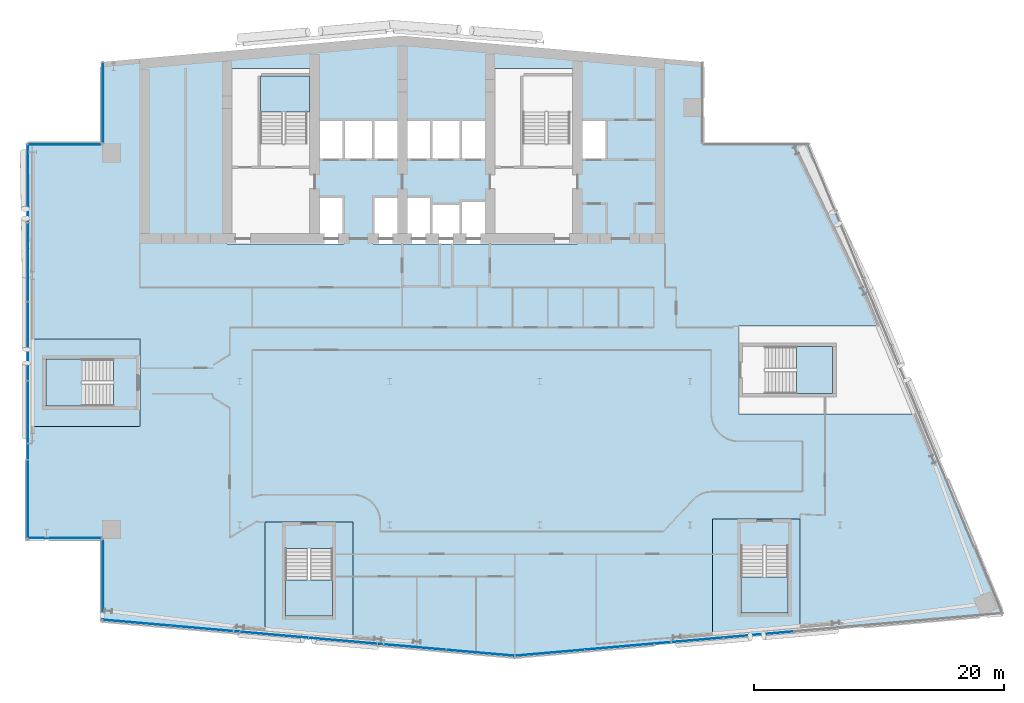
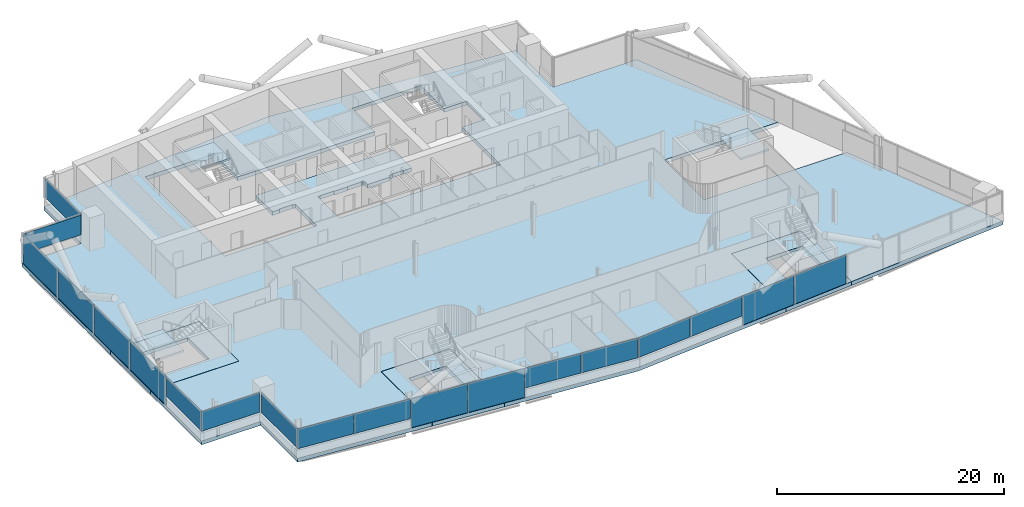
# One storey, part 13 of 29: 19 plates, 9 slabs, 12 elements without a shape of their own.
"""IFC4 building model written with IfcOpenShell, lengths in metres."""

from ifc_helpers import new_model, si_unit, direction, frame, origin, origin_2d, place, context, subcontext, project, spatial, polyline, rectangle, outline, extrude, material, layer, layer_set, type_object, element, aggregate, save


model = new_model("IFC4")

# Units and contexts
model_context = context("Model", 3, precision=1e-05, world=origin(), true_north=direction((0.0, 1.0)))
body_context = subcontext(model_context, "Body", "Model", "MODEL_VIEW")
ifc_project = project(units=[si_unit("LENGTHUNIT", "METRE"), si_unit("AREAUNIT", "SQUARE_METRE"), si_unit("VOLUMEUNIT", "CUBIC_METRE"), si_unit("PLANEANGLEUNIT", "RADIAN"), si_unit("MASSUNIT", "GRAM", prefix="KILO")], contexts=[model_context])

# Site, building, storey
site_placement = place(None, origin())
site = spatial("IfcSite", under=ifc_project, at=site_placement, CompositionType="ELEMENT")
building_placement = place(site_placement, origin())
building = spatial("IfcBuilding", under=site, at=building_placement, Name="Wharfspan Tower", CompositionType="ELEMENT")
storey_placement = place(building_placement, frame((0.0, 0.0, 162.699951)))
storey = spatial("IfcBuildingStorey", under=building, at=storey_placement, Name="L39", CompositionType="ELEMENT", Elevation=162.699951)

# Curtain wall, plates
ifc_material_1 = material(Name="Aluminium 6063-T6", Category="aluminium")
curtain_wall_type_1 = type_object("IfcCurtainWallType", Name="CURTAIN WALL FACETED FRONT", PredefinedType="NOTDEFINED", material=ifc_material_1)
curtain_wall_1_placement = place(storey_placement, origin())
curtain_wall_1 = element("IfcCurtainWall", 1, at=curtain_wall_1_placement, inside=storey, type_object=curtain_wall_type_1, Name="Curtain wall S1", PredefinedType="NOTDEFINED")
ifc_material_2 = material(Name="Glass clear low-iron double glazing", Category="glass")
ifc_layer_1 = layer(ifc_material_2, 0.040039)
ifc_layer_set_1 = layer_set([ifc_layer_1], Name="Glass clear low-iron double glazing")
plate_type_1 = type_object("IfcPlateType", Name="GLASS PANEL FACETED FRONT 40", PredefinedType="CURTAIN_PANEL", material=ifc_layer_set_1)
plate_1_placement = place(storey_placement, frame((15.770264, 3.692871, 1.0), z_axis=(0.0, 0.0, 1.0), x_axis=(0.996198, -0.087156, 0.0)))
plate_1 = element("IfcPlate", 2, at=plate_1_placement, type_object=plate_type_1, Name="Curtain wall S1 panel 1", PredefinedType="CURTAIN_PANEL", context=body_context, shape_type="SweptSolid", body=[
    extrude(rectangle(XDim=5.430908, YDim=0.040039, at=origin_2d()), origin(), (0.0, 0.0, 1.0), 2.120117),
])
plate_2_placement = place(storey_placement, frame((21.255127, 3.213135, 1.0), z_axis=(0.0, 0.0, 1.0), x_axis=(0.996198, -0.087156, 0.0)))
plate_2 = element("IfcPlate", 3, at=plate_2_placement, type_object=plate_type_1, Name="Curtain wall S1 panel 2", PredefinedType="CURTAIN_PANEL", context=body_context, shape_type="SweptSolid", body=[
    extrude(rectangle(XDim=5.460938, YDim=0.040039, at=origin_2d()), origin(), (0.0, 0.0, 1.0), 2.120117),
])
plate_3_placement = place(storey_placement, frame((37.755127, 1.769531, 1.0), z_axis=(0.0, 0.0, 1.0), x_axis=(0.996198, -0.087156, 0.0)))
plate_3 = element("IfcPlate", 4, at=plate_3_placement, type_object=plate_type_1, Name="Curtain wall S1 panel 5", PredefinedType="CURTAIN_PANEL", context=body_context, shape_type="SweptSolid", body=[
    extrude(rectangle(XDim=5.460938, YDim=0.040039, at=origin_2d()), origin(), (0.0, 0.0, 1.0), 2.120117),
])
plate_4_placement = place(storey_placement, frame((43.240234, 1.289551, 1.0), z_axis=(0.0, 0.0, 1.0), x_axis=(0.996198, -0.087156, 0.0)))
plate_4 = element("IfcPlate", 5, at=plate_4_placement, type_object=plate_type_1, Name="Curtain wall S1 panel 6", PredefinedType="CURTAIN_PANEL", context=body_context, shape_type="SweptSolid", body=[
    extrude(rectangle(XDim=5.430908, YDim=0.040039, at=origin_2d()), origin(), (0.0, 0.0, 1.0), 2.120117),
])

curtain_wall_2_placement = place(storey_placement, origin())
curtain_wall_2 = element("IfcCurtainWall", 6, at=curtain_wall_2_placement, inside=storey, type_object=curtain_wall_type_1, Name="Curtain wall S2", PredefinedType="NOTDEFINED")
plate_5_placement = place(storey_placement, frame((48.79541, 1.292725, 1.0), z_axis=(0.0, 0.0, 1.0), x_axis=(0.996198, 0.087156, 0.0)))
plate_5 = element("IfcPlate", 7, at=plate_5_placement, type_object=plate_type_1, Name="Curtain wall S2 panel 1", PredefinedType="CURTAIN_PANEL", context=body_context, shape_type="SweptSolid", body=[
    extrude(rectangle(XDim=5.502686, YDim=0.040039, at=origin_2d()), origin(), (0.0, 0.0, 1.0), 2.120117),
])
plate_6_placement = place(storey_placement, frame((54.351807, 1.778809, 1.0), z_axis=(0.0, 0.0, 1.0), x_axis=(0.996198, 0.087156, 0.0)))
plate_6 = element("IfcPlate", 8, at=plate_6_placement, type_object=plate_type_1, Name="Curtain wall S2 panel 2", PredefinedType="CURTAIN_PANEL", context=body_context, shape_type="SweptSolid", body=[
    extrude(rectangle(XDim=5.532715, YDim=0.040039, at=origin_2d()), origin(), (0.0, 0.0, 1.0), 2.120117),
])

# Curtain wall, plate
curtain_wall_type_2 = type_object("IfcCurtainWallType", Name="CURTAIN WALL PROW AND END", PredefinedType="NOTDEFINED", material=ifc_material_1)
curtain_wall_3_placement = place(storey_placement, origin())
curtain_wall_3 = element("IfcCurtainWall", 9, at=curtain_wall_3_placement, inside=storey, type_object=curtain_wall_type_2, Name="Curtain wall NRW-V", PredefinedType="NOTDEFINED")
ifc_layer_2 = layer(ifc_material_2, 0.040039)
ifc_layer_set_2 = layer_set([ifc_layer_2], Name="Glass clear low-iron double glazing")
plate_type_2 = type_object("IfcPlateType", Name="GLASS PANEL PROW AND END 40", PredefinedType="CURTAIN_PANEL", material=ifc_layer_set_2)
plate_7_placement = place(storey_placement, frame((13.080078, 45.262451, 1.0), z_axis=(0.0, 0.0, 1.0), x_axis=(0.0, -1.0, 0.0)))
plate_7 = element("IfcPlate", 10, at=plate_7_placement, type_object=plate_type_2, Name="Curtain wall NRW-V panel 1", PredefinedType="CURTAIN_PANEL", context=body_context, shape_type="SweptSolid", body=[
    extrude(rectangle(XDim=6.405029, YDim=0.040039, at=origin_2d()), origin(), (0.0, 0.0, 1.0), 2.120117),
])
aggregate(curtain_wall_3, [plate_7])

curtain_wall_4_placement = place(storey_placement, origin())
curtain_wall_4 = element("IfcCurtainWall", 11, at=curtain_wall_4_placement, inside=storey, type_object=curtain_wall_type_2, Name="Curtain wall NRW-H", PredefinedType="NOTDEFINED")
plate_8_placement = place(storey_placement, frame((10.0, 41.919922, 1.0), z_axis=(0.0, 0.0, 1.0), x_axis=(-1.0, 0.0, 0.0)))
plate_8 = element("IfcPlate", 12, at=plate_8_placement, type_object=plate_type_2, Name="Curtain wall NRW-H panel 1", PredefinedType="CURTAIN_PANEL", context=body_context, shape_type="SweptSolid", body=[
    extrude(rectangle(XDim=5.879883, YDim=0.040039, at=origin_2d()), origin(), (0.0, 0.0, 1.0), 2.120117),
])
aggregate(curtain_wall_4, [plate_8])

curtain_wall_5_placement = place(storey_placement, origin())
curtain_wall_5 = element("IfcCurtainWall", 13, at=curtain_wall_5_placement, inside=storey, type_object=curtain_wall_type_2, Name="Curtain wall W", PredefinedType="NOTDEFINED")
plate_9_placement = place(storey_placement, frame((7.080078, 13.574951, 1.0), z_axis=(0.0, 0.0, 1.0), x_axis=(0.0, -1.0, 0.0)))
plate_9 = element("IfcPlate", 14, at=plate_9_placement, type_object=plate_type_2, Name="Curtain wall W panel 5", PredefinedType="CURTAIN_PANEL", context=body_context, shape_type="SweptSolid", body=[
    extrude(rectangle(XDim=6.22998, YDim=0.040039, at=origin_2d()), origin(), (0.0, 0.0, 1.0), 2.120117),
])

curtain_wall_6_placement = place(storey_placement, origin())
curtain_wall_6 = element("IfcCurtainWall", 15, at=curtain_wall_6_placement, inside=storey, type_object=curtain_wall_type_2, Name="Curtain wall NFW-H", PredefinedType="NOTDEFINED")
plate_10_placement = place(storey_placement, frame((10.0, 10.47998, 1.0), z_axis=(0.0, 0.0, 1.0), x_axis=(1.0, 0.0, 0.0)))
plate_10 = element("IfcPlate", 16, at=plate_10_placement, type_object=plate_type_2, Name="Curtain wall NFW-H panel 1", PredefinedType="CURTAIN_PANEL", context=body_context, shape_type="SweptSolid", body=[
    extrude(rectangle(XDim=5.879883, YDim=0.040039, at=origin_2d()), origin(), (0.0, 0.0, 1.0), 2.120117),
])
aggregate(curtain_wall_6, [plate_10])

curtain_wall_7_placement = place(storey_placement, origin())
curtain_wall_7 = element("IfcCurtainWall", 17, at=curtain_wall_7_placement, inside=storey, type_object=curtain_wall_type_2, Name="Curtain wall NFW-V", PredefinedType="NOTDEFINED")
plate_11_placement = place(storey_placement, frame((13.080078, 7.137451, 1.0), z_axis=(0.0, 0.0, 1.0), x_axis=(0.0, -1.0, 0.0)))
plate_11 = element("IfcPlate", 18, at=plate_11_placement, type_object=plate_type_2, Name="Curtain wall NFW-V panel 1", PredefinedType="CURTAIN_PANEL", context=body_context, shape_type="SweptSolid", body=[
    extrude(rectangle(XDim=6.405029, YDim=0.040039, at=origin_2d()), origin(), (0.0, 0.0, 1.0), 2.120117),
])
aggregate(curtain_wall_7, [plate_11])

# Plate
ifc_material_3 = material(Name="Aluminium composite opaque insulated panel", Category="aluminium")
ifc_layer_3 = layer(ifc_material_3, 0.040039)
ifc_layer_set_3 = layer_set([ifc_layer_3], Name="Aluminium composite opaque insulated panel")
plate_type_3 = type_object("IfcPlateType", Name="INFILL PANEL FACETED FRONT OPAQUE 40", PredefinedType="SHEET", material=ifc_layer_set_3)
plate_12_placement = place(storey_placement, frame((26.755127, 2.731934, 0.0), z_axis=(0.0, 0.0, 1.0), x_axis=(0.996198, -0.087156, 0.0)))
plate_12 = element("IfcPlate", 19, at=plate_12_placement, type_object=plate_type_3, Name="Curtain wall S1 panel 3", PredefinedType="SHEET", context=body_context, shape_type="SweptSolid", body=[
    extrude(rectangle(XDim=5.460938, YDim=0.040039, at=origin_2d()), origin(), (0.0, 0.0, 1.0), 3.120117),
])

plate_13_placement = place(storey_placement, frame((32.255127, 2.250732, 0.0), z_axis=(0.0, 0.0, 1.0), x_axis=(0.996198, -0.087156, 0.0)))
plate_13 = element("IfcPlate", 20, at=plate_13_placement, type_object=plate_type_3, Name="Curtain wall S1 panel 4", PredefinedType="SHEET", context=body_context, shape_type="SweptSolid", body=[
    extrude(rectangle(XDim=5.460938, YDim=0.040039, at=origin_2d()), origin(), (0.0, 0.0, 1.0), 3.120117),
])

aggregate(curtain_wall_1, [plate_1, plate_2, plate_12, plate_13, plate_3, plate_4])

plate_14_placement = place(storey_placement, frame((59.92334, 2.266357, 0.0), z_axis=(0.0, 0.0, 1.0), x_axis=(0.996198, 0.087156, 0.0)))
plate_14 = element("IfcPlate", 21, at=plate_14_placement, type_object=plate_type_3, Name="Curtain wall S2 panel 3", PredefinedType="SHEET", context=body_context, shape_type="SweptSolid", body=[
    extrude(rectangle(XDim=5.532715, YDim=0.040039, at=origin_2d()), origin(), (0.0, 0.0, 1.0), 3.120117),
])

plate_15_placement = place(storey_placement, frame((65.494873, 2.753662, 0.0), z_axis=(0.0, 0.0, 1.0), x_axis=(0.996198, 0.087156, 0.0)))
plate_15 = element("IfcPlate", 22, at=plate_15_placement, type_object=plate_type_3, Name="Curtain wall S2 panel 4", PredefinedType="SHEET", context=body_context, shape_type="SweptSolid", body=[
    extrude(rectangle(XDim=5.532715, YDim=0.040039, at=origin_2d()), origin(), (0.0, 0.0, 1.0), 3.120117),
])

aggregate(curtain_wall_2, [plate_5, plate_6, plate_14, plate_15])

ifc_layer_4 = layer(ifc_material_3, 0.040039)
ifc_layer_set_4 = layer_set([ifc_layer_4], Name="Aluminium composite opaque insulated panel")
plate_type_4 = type_object("IfcPlateType", Name="INFILL PANEL PROW AND END OPAQUE 40", PredefinedType="SHEET", material=ifc_layer_set_4)
plate_16_placement = place(storey_placement, frame((7.080078, 38.824951, 0.0), z_axis=(0.0, 0.0, 1.0), x_axis=(0.0, -1.0, 0.0)))
plate_16 = element("IfcPlate", 23, at=plate_16_placement, type_object=plate_type_4, Name="Curtain wall W panel 1", PredefinedType="SHEET", context=body_context, shape_type="SweptSolid", body=[
    extrude(rectangle(XDim=6.22998, YDim=0.040039, at=origin_2d()), origin(), (0.0, 0.0, 1.0), 3.120117),
])

plate_17_placement = place(storey_placement, frame((7.080078, 32.52002, 0.0), z_axis=(0.0, 0.0, 1.0), x_axis=(0.0, -1.0, 0.0)))
plate_17 = element("IfcPlate", 24, at=plate_17_placement, type_object=plate_type_4, Name="Curtain wall W panel 2", PredefinedType="SHEET", context=body_context, shape_type="SweptSolid", body=[
    extrude(rectangle(XDim=6.26001, YDim=0.040039, at=origin_2d()), origin(), (0.0, 0.0, 1.0), 3.120117),
])

plate_18_placement = place(storey_placement, frame((7.080078, 26.199951, 0.0), z_axis=(0.0, 0.0, 1.0), x_axis=(0.0, -1.0, 0.0)))
plate_18 = element("IfcPlate", 25, at=plate_18_placement, type_object=plate_type_4, Name="Curtain wall W panel 3", PredefinedType="SHEET", context=body_context, shape_type="SweptSolid", body=[
    extrude(rectangle(XDim=6.26001, YDim=0.040039, at=origin_2d()), origin(), (0.0, 0.0, 1.0), 3.120117),
])

plate_19_placement = place(storey_placement, frame((7.080078, 19.879883, 0.0), z_axis=(0.0, 0.0, 1.0), x_axis=(0.0, -1.0, 0.0)))
plate_19 = element("IfcPlate", 26, at=plate_19_placement, type_object=plate_type_4, Name="Curtain wall W panel 4", PredefinedType="SHEET", context=body_context, shape_type="SweptSolid", body=[
    extrude(rectangle(XDim=6.26001, YDim=0.040039, at=origin_2d()), origin(), (0.0, 0.0, 1.0), 3.120117),
])

aggregate(curtain_wall_5, [plate_16, plate_17, plate_18, plate_19, plate_9])

# Slabs
ifc_material_4 = material(Name="Concrete C40/50", Category="concrete")
ifc_layer_5 = layer(ifc_material_4, 0.399902)
ifc_layer_set_5 = layer_set([ifc_layer_5], Name="Concrete C40/50")
slab_type_1 = type_object("IfcSlabType", Name="Post-tensioned flat slab 400", PredefinedType="FLOOR", material=ifc_layer_set_5)
slab_1_placement = place(storey_placement, frame((0.0, 0.0, -0.400146)))
element("IfcSlab", 27, at=slab_1_placement, inside=storey, type_object=slab_type_1, Name="Floor slab L39", PredefinedType="FLOOR", context=body_context, shape_type="SweptSolid", body=[
    extrude(outline(polyline([(26.029297, 2.735107), (26.029297, 11.744385), (33.049316, 11.744385), (33.049316, 2.121094), (46.0, 0.987793), (61.801514, 2.370361), (61.801514, 11.993652), (68.821289, 11.993652), (68.821289, 2.984619), (85.0, 4.399902), (78.398682, 20.389893), (63.894531, 20.389893), (63.894531, 27.409912), (75.500488, 27.409912), (69.477051, 42.0), (61.0, 42.0), (61.0, 48.524902), (37.0, 50.624756), (13.0, 48.524902), (13.0, 42.0), (7.0, 42.0), (7.0, 26.409912), (16.01001, 26.409912), (16.01001, 19.389893), (7.0, 19.389893), (7.0, 10.399902), (13.0, 10.399902), (13.0, 3.875), (26.029297, 2.735107)]), holes=[polyline([(32.126709, 37.76001), (32.343262, 37.76001), (32.343262, 33.98999), (22.98999, 33.98999), (22.98999, 48.01001), (30.01001, 48.01001), (30.01001, 43.909912), (43.98999, 43.909912), (43.98999, 48.01001), (51.01001, 48.01001), (51.01001, 43.909912), (53.343262, 43.909912), (53.343262, 40.689941), (51.01001, 40.689941), (51.01001, 33.98999), (34.656738, 33.98999), (34.656738, 37.76001), (34.873291, 37.76001), (34.873291, 37.810059), (36.293213, 37.810059), (36.293213, 37.76001), (37.666748, 37.76001), (37.666748, 37.810059), (39.166748, 37.810059), (39.166748, 37.76001), (39.343262, 37.76001), (39.343262, 37.209961), (41.656738, 37.209961), (41.656738, 37.459961), (42.023193, 37.459961), (42.023193, 37.51001), (43.143311, 37.51001), (43.143311, 37.459961), (43.98999, 37.459961), (43.98999, 40.689941), (30.01001, 40.689941), (30.01001, 37.76001), (30.706787, 37.76001), (30.706787, 37.810059), (32.126709, 37.810059), (32.126709, 37.76001)])]), origin(), (0.0, 0.0, 1.0), 0.400146),
])
slab_2_placement = place(storey_placement, frame((0.0, 0.0, -0.400146)))
element("IfcSlab", 28, at=slab_2_placement, inside=storey, type_object=slab_type_1, Name="Core floor slab L39 part 1", PredefinedType="FLOOR", context=body_context, shape_type="SweptSolid", body=[
    extrude(outline(polyline([(16.0, 20.725098), (16.0, 25.074951), (16.0, 26.399902), (7.0, 26.399902), (7.0, 19.399902), (16.0, 19.399902), (16.0, 20.725098)]), holes=[polyline([(13.899902, 24.7771), (13.900146, 24.7771), (13.900391, 24.7771), (13.900635, 24.776855), (13.900879, 24.776855), (13.900879, 24.776855), (13.901123, 24.776611), (13.901367, 24.776611), (13.901367, 24.776367), (13.901611, 24.776367), (13.901611, 24.776123), (13.901855, 24.775879), (13.901855, 24.775879), (13.901855, 24.775635), (13.9021, 24.775391), (13.9021, 24.775146), (13.9021, 24.774902), (13.9021, 21.024902), (13.9021, 21.024902), (13.9021, 21.024658), (13.901855, 21.024414), (13.901855, 21.02417), (13.901855, 21.02417), (13.901611, 21.023926), (13.901611, 21.023682), (13.901367, 21.023682), (13.901367, 21.023438), (13.901123, 21.023193), (13.900879, 21.023193), (13.900879, 21.023193), (13.900635, 21.023193), (13.900391, 21.022949), (13.900146, 21.022949), (13.899902, 21.022949), (8.5, 21.022949), (8.499756, 21.022949), (8.499512, 21.022949), (8.499512, 21.023193), (8.499268, 21.023193), (8.499023, 21.023193), (8.498779, 21.023193), (8.498779, 21.023438), (8.498535, 21.023682), (8.498535, 21.023682), (8.498291, 21.023926), (8.498291, 21.02417), (8.498291, 21.02417), (8.498047, 21.024414), (8.498047, 21.024658), (8.498047, 21.024902), (8.498047, 21.024902), (8.498047, 24.774902), (8.498047, 24.775146), (8.498047, 24.775391), (8.498047, 24.775635), (8.498291, 24.775879), (8.498291, 24.775879), (8.498291, 24.776123), (8.498535, 24.776367), (8.498535, 24.776367), (8.498779, 24.776611), (8.498779, 24.776611), (8.499023, 24.776855), (8.499268, 24.776855), (8.499512, 24.776855), (8.499512, 24.7771), (8.499756, 24.7771), (8.5, 24.7771), (13.899902, 24.7771)])]), origin(), (0.0, 0.0, 1.0), 0.400146),
])
slab_3_placement = place(storey_placement, frame((0.0, 0.0, -0.400146)))
element("IfcSlab", 29, at=slab_3_placement, inside=storey, type_object=slab_type_1, Name="Core floor slab L39 part 2", PredefinedType="FLOOR", context=body_context, shape_type="SweptSolid", body=[
    extrude(outline(polyline([(31.714111, 11.734375), (27.364258, 11.734375), (26.039307, 11.734375), (26.039307, 2.734375), (33.039307, 2.121826), (33.039307, 11.734375), (31.714111, 11.734375)]), holes=[polyline([(27.662109, 9.634277), (27.662109, 9.634521), (27.662354, 9.634766), (27.662354, 9.63501), (27.662354, 9.63501), (27.662598, 9.635254), (27.662598, 9.635498), (27.662598, 9.635498), (27.662842, 9.635742), (27.663086, 9.635742), (27.663086, 9.635986), (27.66333, 9.635986), (27.663574, 9.635986), (27.663574, 9.63623), (27.663818, 9.63623), (27.664062, 9.63623), (27.664307, 9.63623), (31.414307, 9.63623), (31.414307, 9.63623), (31.414551, 9.63623), (31.414795, 9.63623), (31.415039, 9.635986), (31.415283, 9.635986), (31.415283, 9.635986), (31.415527, 9.635742), (31.415527, 9.635742), (31.415771, 9.635498), (31.416016, 9.635498), (31.416016, 9.635254), (31.416016, 9.63501), (31.416016, 9.63501), (31.41626, 9.634766), (31.41626, 9.634521), (31.41626, 9.634277), (31.41626, 4.234375), (31.41626, 4.234131), (31.41626, 4.233887), (31.416016, 4.233643), (31.416016, 4.233398), (31.416016, 4.233398), (31.416016, 4.233154), (31.415771, 4.23291), (31.415527, 4.23291), (31.415527, 4.232666), (31.415283, 4.232666), (31.415283, 4.232422), (31.415039, 4.232422), (31.414795, 4.232422), (31.414551, 4.232422), (31.414307, 4.232422), (31.414307, 4.232422), (27.664307, 4.232422), (27.664062, 4.232422), (27.663818, 4.232422), (27.663574, 4.232422), (27.663574, 4.232422), (27.66333, 4.232422), (27.663086, 4.232666), (27.663086, 4.232666), (27.662842, 4.23291), (27.662598, 4.23291), (27.662598, 4.233154), (27.662598, 4.233398), (27.662354, 4.233398), (27.662354, 4.233643), (27.662354, 4.233887), (27.662109, 4.234131), (27.662109, 4.234375), (27.662109, 9.634277)])]), origin(), (0.0, 0.0, 1.0), 0.400146),
])
slab_4_placement = place(storey_placement, frame((0.0, 0.0, -0.400146)))
element("IfcSlab", 30, at=slab_4_placement, inside=storey, type_object=slab_type_1, Name="Core floor slab L39 part 4", PredefinedType="FLOOR", context=body_context, shape_type="SweptSolid", body=[
    extrude(outline(polyline([(68.811279, 11.983643), (68.136475, 11.983643), (63.786377, 11.983643), (61.811279, 11.983643), (61.811279, 2.371338), (68.811279, 2.983643), (68.811279, 11.983643)]), holes=[polyline([(64.084473, 9.883789), (64.084473, 9.883789), (64.084473, 9.884033), (64.084473, 9.884277), (64.084473, 9.884521), (64.084717, 9.884521), (64.084717, 9.884766), (64.084717, 9.88501), (64.084961, 9.88501), (64.085205, 9.885254), (64.085205, 9.885254), (64.085449, 9.885498), (64.085693, 9.885498), (64.085693, 9.885498), (64.085938, 9.885498), (64.086182, 9.885742), (64.086426, 9.885742), (67.836426, 9.885742), (67.836426, 9.885742), (67.83667, 9.885498), (67.836914, 9.885498), (67.837158, 9.885498), (67.837402, 9.885498), (67.837402, 9.885254), (67.837646, 9.885254), (67.837891, 9.88501), (67.837891, 9.88501), (67.837891, 9.884766), (67.838135, 9.884521), (67.838135, 9.884521), (67.838379, 9.884277), (67.838379, 9.884033), (67.838379, 9.883789), (67.838379, 9.883789), (67.838379, 4.483643), (67.838379, 4.483398), (67.838379, 4.483398), (67.838379, 4.483154), (67.838135, 4.48291), (67.838135, 4.482666), (67.837891, 4.482666), (67.837891, 4.482422), (67.837891, 4.482422), (67.837646, 4.482178), (67.837402, 4.481934), (67.837402, 4.481934), (67.837158, 4.481689), (67.836914, 4.481689), (67.83667, 4.481689), (67.836426, 4.481689), (67.836426, 4.481689), (64.086426, 4.481689), (64.086182, 4.481689), (64.085938, 4.481689), (64.085693, 4.481689), (64.085693, 4.481689), (64.085449, 4.481934), (64.085205, 4.481934), (64.085205, 4.482178), (64.084961, 4.482422), (64.084717, 4.482422), (64.084717, 4.482666), (64.084717, 4.482666), (64.084473, 4.48291), (64.084473, 4.483154), (64.084473, 4.483398), (64.084473, 4.483398), (64.084473, 4.483643), (64.084473, 9.883789)])]), origin(), (0.0, 0.0, 1.0), 0.400146),
])

# Stair, slab
stair_type = type_object("IfcStairType", Name="Half-turn stair 20 risers 180 mm", PredefinedType="HALF_TURN_STAIR", material=ifc_material_4)
stair_1_placement = place(storey_placement, origin())
stair_1 = element("IfcStair", 31, at=stair_1_placement, inside=storey, type_object=stair_type, Name="L39 stair ST1", PredefinedType="HALF_TURN_STAIR")
ifc_layer_6 = layer(ifc_material_4, 0.199951)
ifc_layer_set_6 = layer_set([ifc_layer_6], Name="Concrete C40/50")
slab_type_2 = type_object("IfcSlabType", Name="Stair landing 200", PredefinedType="LANDING", material=ifc_layer_set_6)
slab_5_placement = place(storey_placement, frame((0.0, 0.0, 1.599854)))
slab_5 = element("IfcSlab", 32, at=slab_5_placement, type_object=slab_type_2, Name="ST1 landing 1", PredefinedType="LANDING", context=body_context, shape_type="SweptSolid", body=[
    extrude(outline(polyline([(25.649902, 44.52002), (29.600098, 44.52002), (29.600098, 47.399902), (25.649902, 47.399902), (25.649902, 44.52002)])), origin(), (0.0, 0.0, 1.0), 0.200195),
])
aggregate(stair_1, [slab_5])

stair_2_placement = place(storey_placement, origin())
stair_2 = element("IfcStair", 33, at=stair_2_placement, inside=storey, type_object=stair_type, Name="L39 stair ST3", PredefinedType="HALF_TURN_STAIR")
slab_6_placement = place(storey_placement, frame((0.0, 0.0, 1.599854)))
slab_6 = element("IfcSlab", 34, at=slab_6_placement, type_object=slab_type_2, Name="ST3 landing 1", PredefinedType="LANDING", context=body_context, shape_type="SweptSolid", body=[
    extrude(outline(polyline([(11.379883, 24.774902), (8.5, 24.774902), (8.5, 21.024902), (11.379883, 21.024902), (11.379883, 24.774902)])), origin(), (0.0, 0.0, 1.0), 0.200195),
])
aggregate(stair_2, [slab_6])

stair_3_placement = place(storey_placement, origin())
stair_3 = element("IfcStair", 35, at=stair_3_placement, inside=storey, type_object=stair_type, Name="L39 stair ST4", PredefinedType="HALF_TURN_STAIR")
slab_7_placement = place(storey_placement, frame((0.0, 0.0, 1.599854)))
slab_7 = element("IfcSlab", 36, at=slab_7_placement, type_object=slab_type_2, Name="ST4 landing 1", PredefinedType="LANDING", context=body_context, shape_type="SweptSolid", body=[
    extrude(outline(polyline([(27.664307, 7.114258), (27.664307, 4.234375), (31.414307, 4.234375), (31.414307, 7.114258), (27.664307, 7.114258)])), origin(), (0.0, 0.0, 1.0), 0.200195),
])
aggregate(stair_3, [slab_7])

stair_4_placement = place(storey_placement, origin())
stair_4 = element("IfcStair", 37, at=stair_4_placement, inside=storey, type_object=stair_type, Name="L39 stair ST5", PredefinedType="HALF_TURN_STAIR")
slab_8_placement = place(storey_placement, frame((0.0, 0.0, 1.599854)))
slab_8 = element("IfcSlab", 38, at=slab_8_placement, type_object=slab_type_2, Name="ST5 landing 1", PredefinedType="LANDING", context=body_context, shape_type="SweptSolid", body=[
    extrude(outline(polyline([(64.086426, 7.36377), (64.086426, 4.483643), (67.836426, 4.483643), (67.836426, 7.36377), (64.086426, 7.36377)])), origin(), (0.0, 0.0, 1.0), 0.200195),
])
aggregate(stair_4, [slab_8])

stair_5_placement = place(storey_placement, origin())
stair_5 = element("IfcStair", 39, at=stair_5_placement, inside=storey, type_object=stair_type, Name="L39 stair ST6", PredefinedType="HALF_TURN_STAIR")
slab_9_placement = place(storey_placement, frame((0.0, 0.0, 1.599854)))
slab_9 = element("IfcSlab", 40, at=slab_9_placement, type_object=slab_type_2, Name="ST6 landing 1", PredefinedType="LANDING", context=body_context, shape_type="SweptSolid", body=[
    extrude(outline(polyline([(68.524658, 22.024902), (71.404541, 22.024902), (71.404541, 25.774902), (68.524658, 25.774902), (68.524658, 22.024902)])), origin(), (0.0, 0.0, 1.0), 0.200195),
])
aggregate(stair_5, [slab_9])

save(model, "model.ifc")
